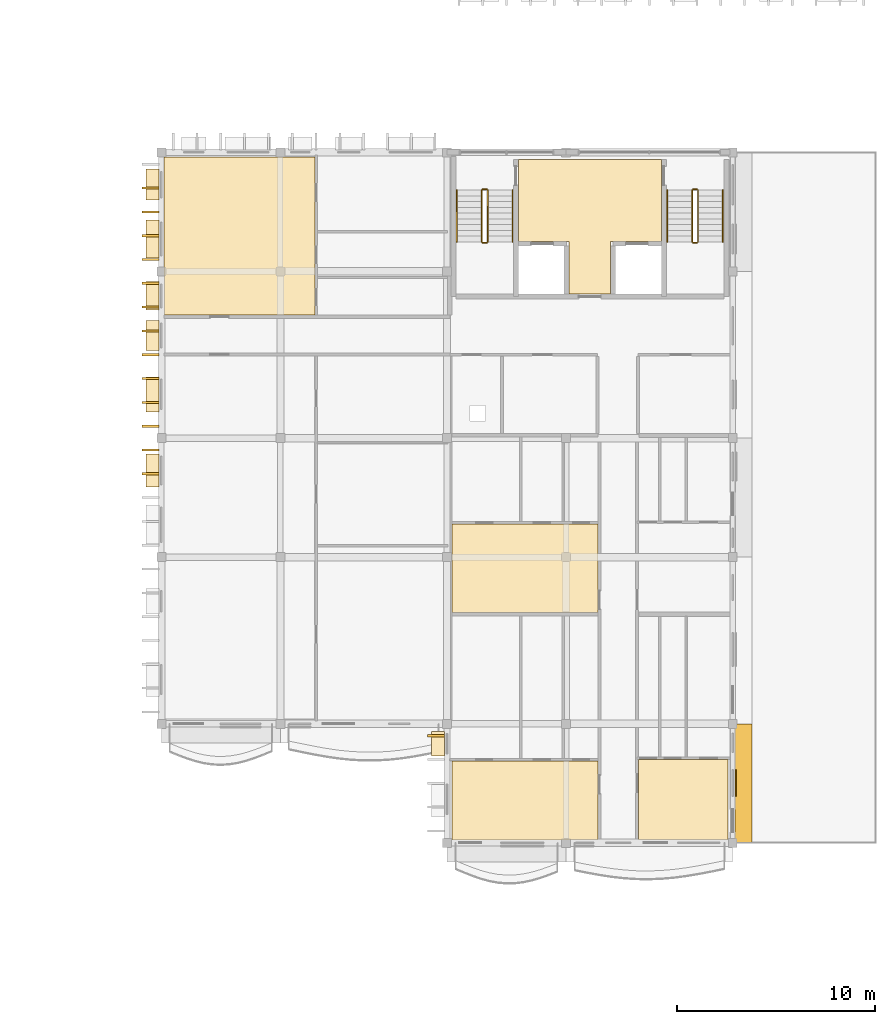
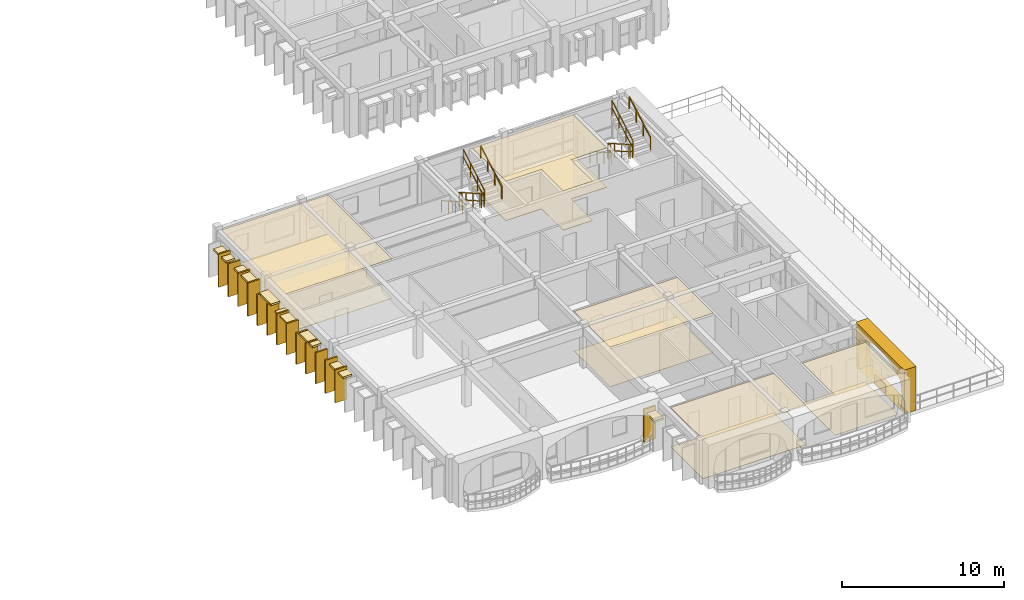
# One storey, part 59 of 66: 33 coverings, 12 railings.
"""IFC4 building model written with IfcOpenShell, lengths in metres."""

import ifcopenshell
import ifcopenshell.guid

model = None  # the IFC model being written
_history = None  # IfcOwnerHistory: only IFC2X3 demands one
_inside = {}  # id of a spatial element -> (the spatial element, [elements in it])
_under = {}  # id of a project, library or spatial element -> (it, [spatial elements below it])
_declared = {}  # id of a project -> (the project, [libraries it declares])
_typed = {}  # id of a type object -> (the type object, [elements of that type])
_made_of = {}  # id of a material, layer set ... -> (it, [elements and type objects made of it])


def new_model(schema):
    """Start an empty IFC model of exactly this schema.

    Asked for "IFC4X3", IfcOpenShell would pick the latest addendum, in which some entities
    have other attributes; the version numbers below select the first issue.
    IFC2X3 requires an IfcOwnerHistory on every rooted entity: one is made here for all.
    """
    global model, _history
    if schema == "IFC4X3":
        model = ifcopenshell.file(schema_version=(4, 3, 0, 0))
    else:
        model = ifcopenshell.file(schema=schema)
    _inside.clear()
    _under.clear()
    _declared.clear()
    _typed.clear()
    _made_of.clear()
    _history = None
    if model.schema == "IFC2X3":
        org = make("IfcOrganization", Name="unknown")
        user = make(
            "IfcPersonAndOrganization",
            ThePerson=make("IfcPerson", FamilyName="unknown"),
            TheOrganization=org,
        )
        app = make(
            "IfcApplication",
            ApplicationDeveloper=org,
            Version="unknown",
            ApplicationFullName="unknown",
            ApplicationIdentifier="unknown",
        )
        _history = make(
            "IfcOwnerHistory",
            OwningUser=user,
            OwningApplication=app,
            ChangeAction="ADDED",
            CreationDate=0,
        )
    return model


def make(cls, **values):
    """One entity of the class cls with the attributes given. An attribute that is None is left unset."""
    return model.create_entity(
        cls, **{name: value for name, value in values.items() if value is not None}
    )


def rooted(cls, **values):
    """An entity with a GlobalId (a new one), such as an element, a storey or a relation."""
    return make(cls, GlobalId=ifcopenshell.guid.new(), OwnerHistory=_history, **values)


def si_unit(unit_type, name, prefix=None):
    """IfcSIUnit, for example si_unit("LENGTHUNIT", "METRE", prefix="MILLI")."""
    return make("IfcSIUnit", UnitType=unit_type, Prefix=prefix, Name=name)


def assignment(units):
    """IfcUnitAssignment: the units of a project."""
    return None if units is None else make("IfcUnitAssignment", Units=units)


def point(xyz):
    """IfcCartesianPoint."""
    return None if xyz is None else make("IfcCartesianPoint", Coordinates=xyz)


def direction(xyz):
    """IfcDirection."""
    return None if xyz is None else make("IfcDirection", DirectionRatios=xyz)


def frame(location, z_axis=None, x_axis=None):
    """IfcAxis2Placement3D, a coordinate frame: its origin and axes. An axis left out is left unset."""
    return make(
        "IfcAxis2Placement3D",
        Location=point(location),
        Axis=direction(z_axis),
        RefDirection=direction(x_axis),
    )


def frame_2d(location, x_axis=None):
    """IfcAxis2Placement2D, a coordinate frame in the plane: its origin and x axis."""
    return make(
        "IfcAxis2Placement2D", Location=point(location), RefDirection=direction(x_axis)
    )


def origin():
    """The frame at (0, 0, 0) with its axes left unset."""
    return frame((0.0, 0.0, 0.0))


def origin_2d():
    """The frame at (0, 0) in the plane with its x axis left unset."""
    return frame_2d((0.0, 0.0))


def place(relative_to, where):
    """IfcLocalPlacement: puts the frame where relative to a parent placement (None: the world)."""
    return make(
        "IfcLocalPlacement", PlacementRelTo=relative_to, RelativePlacement=where
    )


def context(
    kind, dimensions, precision=None, world=None, true_north=None, identifier=None
):
    """IfcGeometricRepresentationContext, for example the 3D "Model" context."""
    return make(
        "IfcGeometricRepresentationContext",
        ContextIdentifier=identifier,
        ContextType=kind,
        CoordinateSpaceDimension=dimensions,
        Precision=precision,
        WorldCoordinateSystem=world,
        TrueNorth=true_north,
    )


def subcontext(parent, identifier, kind, view, scale=None):
    """IfcGeometricRepresentationSubContext, for example "Body" below "Model"."""
    return make(
        "IfcGeometricRepresentationSubContext",
        ContextIdentifier=identifier,
        ContextType=kind,
        ParentContext=parent,
        TargetScale=scale,
        TargetView=view,
    )


def project(units=None, contexts=None):
    """IfcProject with its units and contexts."""
    return rooted(
        "IfcProject",
        Name="project",
        RepresentationContexts=contexts,
        UnitsInContext=assignment(units),
    )


def spatial(cls, under=None, at=None, **own):
    """A site, building, storey or space (cls), placed at a placement, below another one or the project."""
    s = rooted(cls, ObjectPlacement=at, **own)
    if under is not None:
        _under.setdefault(under.id(), (under, []))[1].append(s)
    return s


def polyline(points):
    """IfcPolyline through the points."""
    return make("IfcPolyline", Points=[point(p) for p in points])


def profile(cls, at=None, kind="AREA", **sizes):
    """A parametric profile (cls). Its sizes go by their IFC names, for example OverallWidth=200.0."""
    return make(cls, ProfileType=kind, Position=at, **sizes)


def rectangle(**sizes):
    """IfcRectangleProfileDef."""
    return profile("IfcRectangleProfileDef", **sizes)


def outline(outer, holes=None, kind="AREA"):
    """IfcArbitraryClosedProfileDef: a profile drawn as a closed curve; with holes, ...WithVoids."""
    if holes is None:
        return make("IfcArbitraryClosedProfileDef", ProfileType=kind, OuterCurve=outer)
    return make(
        "IfcArbitraryProfileDefWithVoids",
        ProfileType=kind,
        OuterCurve=outer,
        InnerCurves=holes,
    )


def extrude(swept, where, along, depth):
    """IfcExtrudedAreaSolid: the profile swept, set in the frame where, extruded along a direction by depth."""
    return make(
        "IfcExtrudedAreaSolid",
        SweptArea=swept,
        Position=where,
        ExtrudedDirection=direction(along),
        Depth=depth,
    )


def shape(context_of_items, identifier, shape_type, items):
    """IfcShapeRepresentation: the items that make up one representation, for example the "Body"."""
    return make(
        "IfcShapeRepresentation",
        ContextOfItems=context_of_items,
        RepresentationIdentifier=identifier,
        RepresentationType=shape_type,
        Items=items,
    )


def material(Name=None, Category=None):
    """IfcMaterial."""
    return make("IfcMaterial", Name=Name, Category=Category)


def layer(
    of_material, thickness, ventilated=None, Name=None, Category=None, Priority=None
):
    """IfcMaterialLayer: one layer of a wall or slab, of a material (None: an air gap)."""
    return make(
        "IfcMaterialLayer",
        Material=of_material,
        LayerThickness=thickness,
        IsVentilated=ventilated,
        Name=Name,
        Category=Category,
        Priority=Priority,
    )


def layer_set(layers, Name=None):
    """IfcMaterialLayerSet."""
    return make("IfcMaterialLayerSet", MaterialLayers=layers, LayerSetName=Name)


def made_of(thing, what):
    """Note that an element or type object is made of a material, layer set ...; save() writes the relation."""
    if what is not None:
        _made_of.setdefault(what.id(), (what, []))[1].append(thing)
    return thing


def type_object(cls, material=None, **own):
    """A type object (cls), such as IfcWallType, which elements share."""
    return made_of(rooted(cls, **own), material)


def element(
    cls,
    number,
    at=None,
    inside=None,
    cuts=None,
    type_object=None,
    material=None,
    context=None,
    identifier="Body",
    shape_type=None,
    held_by="IfcProductDefinitionShape",
    body=None,
    shapes=None,
    **own,
):
    """One element of the class cls, such as IfcWall. Its Tag is "e" and its number.

    at: its placement. inside: the storey or other place that contains it. cuts: it is an
    opening in that element (IfcRelVoidsElement). A single representation is given by context,
    identifier, shape_type and body (its items); several are given by shapes. held_by: the class
    of the entity that holds the representations. save() writes the other relations.
    """
    e = rooted(cls, Tag="e%d" % number, ObjectPlacement=at, **own)
    if body is not None:
        shapes = [shape(context, identifier, shape_type, body)]
    if shapes is not None:
        e.Representation = make(held_by, Representations=shapes)
    if inside is not None:
        _inside.setdefault(inside.id(), (inside, []))[1].append(e)
    if cuts is not None:
        rooted(
            "IfcRelVoidsElement", RelatingBuildingElement=cuts, RelatedOpeningElement=e
        )
    if type_object is not None:
        _typed.setdefault(type_object.id(), (type_object, []))[1].append(e)
    return made_of(e, material)


def aggregate(whole, parts):
    """IfcRelAggregates: a whole, such as a stair, and the parts it consists of."""
    return rooted("IfcRelAggregates", RelatingObject=whole, RelatedObjects=parts)


def save(model, path):
    """Write the relations noted so far, then the file.

    IfcRelAggregates (storeys below a building ...), IfcRelContainedInSpatialStructure (elements
    in a storey), IfcRelDefinesByType, IfcRelAssociatesMaterial and IfcRelDeclares: one each for
    every whole, place, type object, material and project.
    """
    for whole, parts in _under.values():
        aggregate(whole, parts)
    for where, things in _inside.values():
        rooted(
            "IfcRelContainedInSpatialStructure",
            RelatedElements=things,
            RelatingStructure=where,
        )
    for kind, things in _typed.values():
        rooted("IfcRelDefinesByType", RelatedObjects=things, RelatingType=kind)
    for what, things in _made_of.values():
        rooted("IfcRelAssociatesMaterial", RelatedObjects=things, RelatingMaterial=what)
    for by, libraries in _declared.values():
        rooted("IfcRelDeclares", RelatingContext=by, RelatedDefinitions=libraries)
    model.write(path)


model = new_model("IFC4")

# Units and contexts
model_context = context("Model", 3, precision=1e-05, world=origin(), true_north=direction((0.0, 1.0)))
body_context = subcontext(model_context, "Body", "Model", "MODEL_VIEW")
ifc_project = project(units=[si_unit("LENGTHUNIT", "METRE"), si_unit("AREAUNIT", "SQUARE_METRE"), si_unit("VOLUMEUNIT", "CUBIC_METRE"), si_unit("PLANEANGLEUNIT", "RADIAN"), si_unit("MASSUNIT", "GRAM", prefix="KILO"), si_unit("THERMODYNAMICTEMPERATUREUNIT", "KELVIN")], contexts=[model_context])

# Site, building, storey
site_placement = place(None, origin())
site = spatial("IfcSite", under=ifc_project, at=site_placement, CompositionType="ELEMENT")
building_placement = place(site_placement, origin())
building = spatial("IfcBuilding", under=site, at=building_placement, Name="Thalorik Housing Commons", CompositionType="ELEMENT")
storey_placement = place(building_placement, frame((0.0, 0.0, 21.300048828125)))
storey = spatial("IfcBuildingStorey", under=building, at=storey_placement, Name="L06", CompositionType="ELEMENT", Elevation=21.300048828125)

# Coverings
ifc_material_1 = material(Name="Precast concrete C40/50", Category="concrete")
ifc_layer_1 = layer(ifc_material_1, 0.85009765625, Name="Precast concrete C40/50", Category="concrete")
ifc_layer_set_1 = layer_set([ifc_layer_1], Name="Precast concrete C40/50")
covering_type_1 = type_object("IfcCoveringType", Name="ARC-CLD-CUSH-850", PredefinedType="CLADDING", material=ifc_layer_set_1)
covering_1_placement = place(storey_placement, frame((167.347412109375, 40.199951171875, 0.0), z_axis=(0.0, 0.0, 1.0), x_axis=(0.0, 1.0, 0.0)))
element("IfcCovering", 1, at=covering_1_placement, inside=storey, type_object=covering_type_1, Name="L06 White Precast Curved Cushion Bay Frame 4976", PredefinedType="CLADDING", context=body_context, shape_type="SweptSolid", body=[
    extrude(outline(polyline([(-3.0, 0.0), (3.0, 0.0), (3.0, 3.300048828125), (-3.0, 3.300048828125), (-3.0, 0.0)]), holes=[polyline([(2.562744140625, 0.02490234375), (2.655029296875, 0.387451171875), (2.71044921875, 0.75), (2.72900390625, 1.112548828125), (2.71044921875, 1.47509765625), (2.655029296875, 1.83740234375), (2.562744140625, 2.199951171875), (2.14013671875, 2.455810546875), (1.71728515625, 2.656494140625), (1.294677734375, 2.819091796875), (0.871826171875, 2.940185546875), (0.44921875, 3.014892578125), (0.0263671875, 3.0400390625), (-0.396240234375, 3.014892578125), (-0.819091796875, 2.940185546875), (-1.24169921875, 2.819091796875), (-1.66455078125, 2.656494140625), (-2.08740234375, 2.455810546875), (-2.510009765625, 2.199951171875), (-2.61328125, 1.83740234375), (-2.675537109375, 1.47509765625), (-2.6962890625, 1.112548828125), (-2.675537109375, 0.75), (-2.61328125, 0.387451171875), (-2.510009765625, 0.02490234375), (2.562744140625, 0.02490234375)])]), frame((0.0, 0.425048828125, 0.0), z_axis=(0.0, -1.0, 0.0), x_axis=(1.0, 0.0, 0.0)), (0.0, 0.0, 1.0), 0.85009765625),
])
ifc_layer_2 = layer(ifc_material_1, 0.85009765625, Name="Precast concrete C40/50", Category="concrete")
ifc_layer_set_2 = layer_set([ifc_layer_2], Name="Precast concrete C40/50")
covering_type_2 = type_object("IfcCoveringType", Name="ARC-CLD-FIN-850", PredefinedType="CLADDING", material=ifc_layer_set_2)
for number, where, z_axis, x_axis, name in (
    (2, (137.452392578125, 70.199951171875, 0.039794921875), (0.0, 0.0, 1.0), (0.0, -1.0, 0.0), "L06 Courtyard Precast Vertical Brise-Soleil Fin 4929"),
    (3, (137.452392578125, 69.0, 0.039794921875), (0.0, 0.0, 1.0), (0.0, -1.0, 0.0), "L06 Courtyard Precast Vertical Brise-Soleil Fin 4930"),
    (4, (137.452392578125, 67.800048828125, 0.039794921875), (0.0, 0.0, 1.0), (0.0, -1.0, 0.0), "L06 Courtyard Precast Vertical Brise-Soleil Fin 4931"),
    (5, (137.452392578125, 66.60009765625, 0.039794921875), (0.0, 0.0, 1.0), (0.0, -1.0, 0.0), "L06 Courtyard Precast Vertical Brise-Soleil Fin 4932"),
):
    element("IfcCovering", number, at=place(storey_placement, frame(where, z_axis=z_axis, x_axis=x_axis)), inside=storey, type_object=covering_type_2, Name=name, PredefinedType="CLADDING", context=body_context, shape_type="SweptSolid", body=[
        extrude(rectangle(XDim=0.110107421875, YDim=0.85009765625, at=origin_2d()), origin(), (0.0, 0.0, 1.0), 2.4951171875),
    ])
for number, where, z_axis, x_axis, name in (
    (6, (137.452392578125, 65.39990234375, 0.0400390625), (0.0, 0.0, 1.0), (0.0, -1.0, 0.0), "L06 Courtyard Precast Vertical Brise-Soleil Fin 4935"),
    (7, (137.452392578125, 64.199951171875, 0.0400390625), (0.0, 0.0, 1.0), (0.0, -1.0, 0.0), "L06 Courtyard Precast Vertical Brise-Soleil Fin 4936"),
    (8, (137.452392578125, 63.0, 0.0400390625), (0.0, 0.0, 1.0), (0.0, -1.0, 0.0), "L06 Courtyard Precast Vertical Brise-Soleil Fin 4937"),
    (9, (137.452392578125, 61.800048828125, 0.0400390625), (0.0, 0.0, 1.0), (0.0, -1.0, 0.0), "L06 Courtyard Precast Vertical Brise-Soleil Fin 4938"),
    (10, (137.452392578125, 60.60009765625, 0.0400390625), (0.0, 0.0, 1.0), (0.0, -1.0, 0.0), "L06 Courtyard Precast Vertical Brise-Soleil Fin 4939"),
    (11, (137.452392578125, 59.39990234375, 0.0400390625), (0.0, 0.0, 1.0), (0.0, -1.0, 0.0), "L06 Courtyard Precast Vertical Brise-Soleil Fin 4940"),
    (12, (137.452392578125, 58.199951171875, 0.0400390625), (0.0, 0.0, 1.0), (0.0, -1.0, 0.0), "L06 Courtyard Precast Vertical Brise-Soleil Fin 4941"),
):
    element("IfcCovering", number, at=place(storey_placement, frame(where, z_axis=z_axis, x_axis=x_axis)), inside=storey, type_object=covering_type_2, Name=name, PredefinedType="CLADDING", context=body_context, shape_type="SweptSolid", body=[
        extrude(rectangle(XDim=0.110107421875, YDim=0.85009765625, at=origin_2d()), origin(), (0.0, 0.0, 1.0), 2.344970703125),
    ])
for number, where, z_axis, x_axis, name in (
    (13, (137.452392578125, 57.0, 0.039794921875), (0.0, 0.0, 1.0), (0.0, -1.0, 0.0), "L06 Courtyard Precast Vertical Brise-Soleil Fin 4945"),
    (14, (137.452392578125, 55.800048828125, 0.039794921875), (0.0, 0.0, 1.0), (0.0, -1.0, 0.0), "L06 Courtyard Precast Vertical Brise-Soleil Fin 4946"),
    (15, (151.8525390625, 42.60009765625, 0.039794921875), (0.0, 0.0, 1.0), (0.0, -1.0, 0.0), "L06 Courtyard Precast Vertical Brise-Soleil Fin 4965"),
):
    element("IfcCovering", number, at=place(storey_placement, frame(where, z_axis=z_axis, x_axis=x_axis)), inside=storey, type_object=covering_type_2, Name=name, PredefinedType="CLADDING", context=body_context, shape_type="SweptSolid", body=[
        extrude(rectangle(XDim=0.110107421875, YDim=0.85009765625, at=origin_2d()), origin(), (0.0, 0.0, 1.0), 2.4951171875),
    ])
ifc_layer_3 = layer(ifc_material_1, 0.64990234375, Name="Precast concrete C40/50", Category="concrete")
ifc_layer_set_3 = layer_set([ifc_layer_3], Name="Precast concrete C40/50")
covering_type_3 = type_object("IfcCoveringType", Name="ARC-CLD-HOOD-650", PredefinedType="CLADDING", material=ifc_layer_set_3)
covering_2_placement = place(storey_placement, frame((137.552490234375, 70.3701171875, 2.14013671875), z_axis=(0.0, 0.0, 1.0), x_axis=(0.0, -1.0, 0.0)))
element("IfcCovering", 16, at=covering_2_placement, inside=storey, type_object=covering_type_3, Name="L06 Courtyard Precast Window Sun-Hood 4933", PredefinedType="CLADDING", context=body_context, shape_type="SweptSolid", body=[
    extrude(rectangle(XDim=1.56005859375, YDim=0.64990234375, at=origin_2d()), origin(), (0.0, 0.0, 1.0), 0.139892578125),
])
covering_3_placement = place(storey_placement, frame((137.552490234375, 67.6298828125, 2.25), z_axis=(0.0, 0.0, 1.0), x_axis=(0.0, -1.0, 0.0)))
element("IfcCovering", 17, at=covering_3_placement, inside=storey, type_object=covering_type_3, Name="L06 Courtyard Precast Window Sun-Hood 4934", PredefinedType="CLADDING", context=body_context, shape_type="SweptSolid", body=[
    extrude(rectangle(XDim=1.919921875, YDim=0.64990234375, at=origin_2d()), origin(), (0.0, 0.0, 1.0), 0.139892578125),
])
covering_4_placement = place(storey_placement, frame((137.552490234375, 64.764892578125, 2.27490234375), z_axis=(0.0, 0.0, 1.0), x_axis=(0.0, -1.0, 0.0)))
element("IfcCovering", 18, at=covering_4_placement, inside=storey, type_object=covering_type_3, Name="L06 Courtyard Precast Window Sun-Hood 4942", PredefinedType="CLADDING", context=body_context, shape_type="SweptSolid", body=[
    extrude(rectangle(XDim=1.43994140625, YDim=0.64990234375, at=origin_2d()), origin(), (0.0, 0.0, 1.0), 0.139892578125),
])
covering_5_placement = place(storey_placement, frame((137.552490234375, 62.77001953125, 2.08984375), z_axis=(0.0, 0.0, 1.0), x_axis=(0.0, -1.0, 0.0)))
element("IfcCovering", 19, at=covering_5_placement, inside=storey, type_object=covering_type_3, Name="L06 Courtyard Precast Window Sun-Hood 4943", PredefinedType="CLADDING", context=body_context, shape_type="SweptSolid", body=[
    extrude(rectangle(XDim=1.489990234375, YDim=0.64990234375, at=origin_2d()), origin(), (0.0, 0.0, 1.0), 0.139892578125),
])
covering_6_placement = place(storey_placement, frame((137.552490234375, 59.804931640625, 2.2099609375), z_axis=(0.0, 0.0, 1.0), x_axis=(0.0, -1.0, 0.0)))
element("IfcCovering", 20, at=covering_6_placement, inside=storey, type_object=covering_type_3, Name="L06 Courtyard Precast Window Sun-Hood 4944", PredefinedType="CLADDING", context=body_context, shape_type="SweptSolid", body=[
    extrude(rectangle(XDim=1.760009765625, YDim=0.64990234375, at=origin_2d()), origin(), (0.0, 0.0, 1.0), 0.139892578125),
])
covering_7_placement = place(storey_placement, frame((137.552490234375, 55.969970703125, 2.169921875), z_axis=(0.0, 0.0, 1.0), x_axis=(0.0, -1.0, 0.0)))
element("IfcCovering", 21, at=covering_7_placement, inside=storey, type_object=covering_type_3, Name="L06 Courtyard Precast Window Sun-Hood 4950", PredefinedType="CLADDING", context=body_context, shape_type="SweptSolid", body=[
    extrude(rectangle(XDim=1.659912109375, YDim=0.64990234375, at=origin_2d()), origin(), (0.0, 0.0, 1.0), 0.139892578125),
])
covering_8_placement = place(storey_placement, frame((151.952392578125, 42.202392578125, 2.0400390625), z_axis=(0.0, 0.0, 1.0), x_axis=(0.0, -1.0, 0.0)))
element("IfcCovering", 22, at=covering_8_placement, inside=storey, type_object=covering_type_3, Name="L06 Courtyard Precast Window Sun-Hood 4970", PredefinedType="CLADDING", context=body_context, shape_type="SweptSolid", body=[
    extrude(rectangle(XDim=1.239990234375, YDim=0.64990234375, at=origin_2d()), origin(), (0.0, 0.0, 1.0), 0.139892578125),
])
ifc_material_2 = material(Name="Terracotta red mineral fibre-cement panel", Category="masonry")
ifc_layer_4 = layer(ifc_material_2, 0.054931640625, Name="Terracotta red mineral fibre-cement panel", Category="masonry")
ifc_layer_set_4 = layer_set([ifc_layer_4], Name="Terracotta red mineral fibre-cement panel")
covering_type_4 = type_object("IfcCoveringType", Name="ARC-CLD-RED-55", PredefinedType="CLADDING", material=ifc_layer_set_4)
covering_9_placement = place(storey_placement, frame((166.955078125, 40.212890625, 0.0498046875), z_axis=(0.0, 0.0, 1.0), x_axis=(0.0, 1.0, 0.0)))
element("IfcCovering", 23, at=covering_9_placement, inside=storey, type_object=covering_type_4, Name="L06 De Stijl Recessed Window Spandrel 4977", PredefinedType="CLADDING", context=body_context, shape_type="SweptSolid", body=[
    extrude(rectangle(XDim=1.320068359375, YDim=0.054931640625, at=origin_2d()), origin(), (0.0, 0.0, 1.0), 0.699951171875),
])
ifc_material_3 = material(Name="Perforated acoustic gypsum ceiling board")
ifc_layer_5 = layer(ifc_material_3, 0.014892578125, Name="Perforated acoustic gypsum ceiling board")
ifc_layer_set_5 = layer_set([ifc_layer_5], Name="Perforated acoustic gypsum ceiling board")
covering_type_5 = type_object("IfcCoveringType", Name="ARC-COV-CEIL-01", PredefinedType="CEILING", material=ifc_layer_set_5)
covering_10_placement = place(storey_placement, frame((0.0, 0.0, 2.98486328125)))
element("IfcCovering", 24, at=covering_10_placement, inside=storey, type_object=covering_type_5, Name="L06 Sunlit Wintergarden Lounge Suspended Ceiling", PredefinedType="CEILING", context=body_context, shape_type="SweptSolid", body=[
    extrude(outline(polyline([(166.56005859375, 41.3955078125), (162.06005859375, 41.3955078125), (162.06005859375, 37.340087890625), (166.56005859375, 37.340087890625), (166.56005859375, 41.3955078125)])), origin(), (0.0, 0.0, 1.0), 0.01513671875),
])
ifc_material_4 = material(Name="Mineral fibre acoustic ceiling tile")
ifc_layer_6 = layer(ifc_material_4, 0.01806640625, Name="Mineral fibre acoustic ceiling tile")
ifc_layer_set_6 = layer_set([ifc_layer_6], Name="Mineral fibre acoustic ceiling tile")
covering_type_6 = type_object("IfcCoveringType", Name="ARC-COV-CEIL-02", PredefinedType="CEILING", material=ifc_layer_set_6)
covering_11_placement = place(storey_placement, frame((0.0, 0.0, 2.98193359375)))
element("IfcCovering", 25, at=covering_11_placement, inside=storey, type_object=covering_type_6, Name="L06 Living Dining Room Suspended Ceiling", PredefinedType="CEILING", context=body_context, shape_type="SweptSolid", body=[
    extrude(outline(polyline([(160.0, 53.264892578125), (152.639892578125, 53.264892578125), (152.639892578125, 48.81005859375), (160.0, 48.81005859375), (160.0, 53.264892578125)])), origin(), (0.0, 0.0, 1.0), 0.01806640625),
])
ifc_material_5 = material(Name="Moisture-resistant gypsum bathroom ceiling")
ifc_layer_7 = layer(ifc_material_5, 0.02490234375, Name="Moisture-resistant gypsum bathroom ceiling")
ifc_layer_set_7 = layer_set([ifc_layer_7], Name="Moisture-resistant gypsum bathroom ceiling")
covering_type_7 = type_object("IfcCoveringType", Name="ARC-COV-CEIL-04", PredefinedType="CEILING", material=ifc_layer_set_7)
covering_12_placement = place(storey_placement, frame((0.0, 0.0, 2.974853515625)))
element("IfcCovering", 26, at=covering_12_placement, inside=storey, type_object=covering_type_7, Name="L06 Sunlit Wintergarden Lounge Suspended Ceiling", PredefinedType="CEILING", context=body_context, shape_type="SweptSolid", body=[
    extrude(outline(polyline([(145.740478515625, 63.800048828125), (145.740478515625, 71.760009765625), (138.139892578125, 71.760009765625), (138.139892578125, 63.800048828125), (145.740478515625, 63.800048828125)])), origin(), (0.0, 0.0, 1.0), 0.025146484375),
])
ifc_material_6 = material(Name="Acoustic wood-wool nursery ceiling panel", Category="wood")
ifc_layer_8 = layer(ifc_material_6, 0.035888671875, Name="Acoustic wood-wool nursery ceiling panel", Category="wood")
ifc_layer_set_8 = layer_set([ifc_layer_8], Name="Acoustic wood-wool nursery ceiling panel")
covering_type_8 = type_object("IfcCoveringType", Name="ARC-COV-CEIL-06", PredefinedType="CEILING", material=ifc_layer_set_8)
covering_13_placement = place(storey_placement, frame((0.0, 0.0, 2.9638671875)))
element("IfcCovering", 27, at=covering_13_placement, inside=storey, type_object=covering_type_8, Name="L06 Block D Lift Lobby Suspended Ceiling", PredefinedType="CEILING", context=body_context, shape_type="SweptSolid", body=[
    extrude(outline(polyline([(158.550048828125, 64.85009765625), (160.64990234375, 64.85009765625), (160.650146484375, 67.52001953125), (163.199951171875, 67.52001953125), (163.199951171875, 71.64990234375), (156.0, 71.64990234375), (156.0, 67.52001953125), (158.550048828125, 67.52001953125), (158.550048828125, 64.85009765625)])), origin(), (0.0, 0.0, 1.0), 0.0361328125),
])
covering_14_placement = place(storey_placement, frame((0.0, 0.0, 2.9638671875)))
element("IfcCovering", 28, at=covering_14_placement, inside=storey, type_object=covering_type_8, Name="L06 Family Lounge Suspended Ceiling", PredefinedType="CEILING", context=body_context, shape_type="SweptSolid", body=[
    extrude(outline(polyline([(160.0, 41.324951171875), (152.639892578125, 41.324951171875), (152.639892578125, 37.340087890625), (160.0, 37.340087890625), (160.0, 41.324951171875)])), origin(), (0.0, 0.0, 1.0), 0.0361328125),
])
ifc_material_7 = material(Name="Glazed Recife ceramic apartment floor tile")
ifc_layer_9 = layer(ifc_material_7, 0.011962890625, Name="Glazed Recife ceramic apartment floor tile")
ifc_layer_set_9 = layer_set([ifc_layer_9], Name="Glazed Recife ceramic apartment floor tile")
covering_type_9 = type_object("IfcCoveringType", Name="ARC-COV-FLR-01", PredefinedType="FLOORING", material=ifc_layer_set_9)
covering_15_placement = place(storey_placement, origin())
element("IfcCovering", 29, at=covering_15_placement, inside=storey, type_object=covering_type_9, Name="L06 Sunlit Wintergarden Lounge Flooring", PredefinedType="FLOORING", context=body_context, shape_type="SweptSolid", body=[
    extrude(outline(polyline([(166.56005859375, 41.3955078125), (162.06005859375, 41.3955078125), (162.06005859375, 37.340087890625), (166.56005859375, 37.340087890625), (166.56005859375, 41.3955078125)])), origin(), (0.0, 0.0, 1.0), 0.011962890625),
])
ifc_material_8 = material(Name="Slip-resistant quarry terracotta corridor tile", Category="masonry")
ifc_layer_10 = layer(ifc_material_8, 0.01611328125, Name="Slip-resistant quarry terracotta corridor tile", Category="masonry")
ifc_layer_set_10 = layer_set([ifc_layer_10], Name="Slip-resistant quarry terracotta corridor tile")
covering_type_10 = type_object("IfcCoveringType", Name="ARC-COV-FLR-02", PredefinedType="FLOORING", material=ifc_layer_set_10)
covering_16_placement = place(storey_placement, origin())
element("IfcCovering", 30, at=covering_16_placement, inside=storey, type_object=covering_type_10, Name="L06 Living Dining Room Flooring", PredefinedType="FLOORING", context=body_context, shape_type="SweptSolid", body=[
    extrude(outline(polyline([(160.0, 53.264892578125), (152.639892578125, 53.264892578125), (152.639892578125, 48.81005859375), (160.0, 48.81005859375), (160.0, 53.264892578125)])), origin(), (0.0, 0.0, 1.0), 0.015869140625),
])
ifc_material_9 = material(Name="Sprung Brazilian oak assembly hall timber floor", Category="wood")
ifc_layer_11 = layer(ifc_material_9, 0.02392578125, Name="Sprung Brazilian oak assembly hall timber floor", Category="wood")
ifc_layer_set_11 = layer_set([ifc_layer_11], Name="Sprung Brazilian oak assembly hall timber floor")
covering_type_11 = type_object("IfcCoveringType", Name="ARC-COV-FLR-04", PredefinedType="FLOORING", material=ifc_layer_set_11)
covering_17_placement = place(storey_placement, origin())
element("IfcCovering", 31, at=covering_17_placement, inside=storey, type_object=covering_type_11, Name="L06 Sunlit Wintergarden Lounge Flooring", PredefinedType="FLOORING", context=body_context, shape_type="SweptSolid", body=[
    extrude(outline(polyline([(145.740478515625, 63.800048828125), (145.740478515625, 71.760009765625), (138.139892578125, 71.760009765625), (138.139892578125, 63.800048828125), (145.740478515625, 63.800048828125)])), origin(), (0.0, 0.0, 1.0), 0.02392578125),
])
ifc_material_10 = material(Name="Epoxy-sealed concrete plant and bicycle hub finish", Category="concrete")
ifc_layer_12 = layer(ifc_material_10, 0.031982421875, Name="Epoxy-sealed concrete plant and bicycle hub finish", Category="concrete")
ifc_layer_set_12 = layer_set([ifc_layer_12], Name="Epoxy-sealed concrete plant and bicycle hub finish")
covering_type_12 = type_object("IfcCoveringType", Name="ARC-COV-FLR-06", PredefinedType="FLOORING", material=ifc_layer_set_12)
covering_18_placement = place(storey_placement, origin())
element("IfcCovering", 32, at=covering_18_placement, inside=storey, type_object=covering_type_12, Name="L06 Block D Lift Lobby Flooring", PredefinedType="FLOORING", context=body_context, shape_type="SweptSolid", body=[
    extrude(outline(polyline([(158.550048828125, 64.85009765625), (160.64990234375, 64.85009765625), (160.650146484375, 67.52001953125), (163.199951171875, 67.52001953125), (163.199951171875, 71.64990234375), (156.0, 71.64990234375), (156.0, 67.52001953125), (158.550048828125, 67.52001953125), (158.550048828125, 64.85009765625)])), origin(), (0.0, 0.0, 1.0), 0.031982421875),
])
covering_19_placement = place(storey_placement, origin())
element("IfcCovering", 33, at=covering_19_placement, inside=storey, type_object=covering_type_12, Name="L06 Family Lounge Flooring", PredefinedType="FLOORING", context=body_context, shape_type="SweptSolid", body=[
    extrude(outline(polyline([(160.0, 41.324951171875), (152.639892578125, 41.324951171875), (152.639892578125, 37.340087890625), (160.0, 37.340087890625), (160.0, 41.324951171875)])), origin(), (0.0, 0.0, 1.0), 0.031982421875),
])

# Railings
ifc_material_11 = material(Name="Steel S355", Category="steel")
railing_type_1 = type_object("IfcRailingType", Name="ARC-RL-STR-GRD110", PredefinedType="GUARDRAIL", material=ifc_material_11)
railing_1_placement = place(storey_placement, frame((154.14990234375, 70.10009765625, 0.1650390625)))
element("IfcRailing", 34, at=railing_1_placement, inside=storey, type_object=railing_type_1, Name="L06 ST-D1 stair guard 1", PredefinedType="GUARDRAIL", context=body_context, shape_type="SweptSolid", body=[
    extrude(rectangle(XDim=0.048095703125, YDim=0.048095703125, at=origin_2d()), frame((0.0, 0.0, 1.076171875), z_axis=(0.0, -0.869192148207, 0.494474478103), x_axis=(1.0, 0.0, 0.0)), (0.0, 0.0, 1.0), 3.0029296875),
    extrude(rectangle(XDim=0.048095703125, YDim=0.048095703125, at=origin_2d()), frame((0.0, 0.0, 0.52587890625), z_axis=(0.0, -0.869192148207, 0.494474478103), x_axis=(1.0, 0.0, 0.0)), (0.0, 0.0, 1.0), 3.0029296875),
    extrude(rectangle(XDim=0.0419921875, YDim=0.0419921875, at=origin_2d()), origin(), (0.0, 0.0, 1.0), 1.052001953125),
    extrude(rectangle(XDim=0.0419921875, YDim=0.0419921875, at=origin_2d()), frame((0.0, -0.8701171875, 0.494873046875)), (0.0, 0.0, 1.0), 1.052001953125),
    extrude(rectangle(XDim=0.0419921875, YDim=0.0419921875, at=origin_2d()), frame((0.0, -1.739990234375, 0.989990234375)), (0.0, 0.0, 1.0), 1.052001953125),
    extrude(rectangle(XDim=0.0419921875, YDim=0.0419921875, at=origin_2d()), frame((0.0, -2.610107421875, 1.48486328125)), (0.0, 0.0, 1.0), 1.052001953125),
])
railing_2_placement = place(storey_placement, frame((154.199951171875, 67.43994140625, 1.64990234375)))
element("IfcRailing", 35, at=railing_2_placement, inside=storey, type_object=railing_type_1, Name="L06 ST-D1 stair guard 2", PredefinedType="GUARDRAIL", context=body_context, shape_type="SweptSolid", body=[
    extrude(rectangle(XDim=0.048095703125, YDim=0.048095703125, at=origin_2d()), frame((0.0, 0.0, 1.076171875), z_axis=(1.0, 0.0, 0.0), x_axis=(0.0, 1.0, 0.0)), (0.0, 0.0, 1.0), 0.199951171875),
    extrude(rectangle(XDim=0.048095703125, YDim=0.048095703125, at=origin_2d()), frame((0.0, 0.0, 0.52587890625), z_axis=(1.0, 0.0, 0.0), x_axis=(0.0, 1.0, 0.0)), (0.0, 0.0, 1.0), 0.199951171875),
    extrude(rectangle(XDim=0.0419921875, YDim=0.0419921875, at=origin_2d()), origin(), (0.0, 0.0, 1.0), 1.052001953125),
    extrude(rectangle(XDim=0.0419921875, YDim=0.0419921875, at=origin_2d()), frame((0.199951171875, 0.0, 0.0)), (0.0, 0.0, 1.0), 1.052001953125),
])
railing_3_placement = place(storey_placement, frame((154.449951171875, 67.489990234375, 1.81494140625)))
element("IfcRailing", 36, at=railing_3_placement, inside=storey, type_object=railing_type_1, Name="L06 ST-D1 stair guard 3", PredefinedType="GUARDRAIL", context=body_context, shape_type="SweptSolid", body=[
    extrude(rectangle(XDim=0.048095703125, YDim=0.048095703125, at=origin_2d()), frame((0.0, 0.0, 1.076171875), z_axis=(0.0, 0.869157204687, 0.49453589712), x_axis=(-1.0, 0.0, 0.0)), (0.0, 0.0, 1.0), 3.0029296875),
    extrude(rectangle(XDim=0.048095703125, YDim=0.048095703125, at=origin_2d()), frame((0.0, 0.0, 0.52587890625), z_axis=(0.0, 0.869157204687, 0.49453589712), x_axis=(-1.0, 0.0, 0.0)), (0.0, 0.0, 1.0), 3.0029296875),
    extrude(rectangle(XDim=0.0419921875, YDim=0.0419921875, at=origin_2d()), origin(), (0.0, 0.0, 1.0), 1.052001953125),
    extrude(rectangle(XDim=0.0419921875, YDim=0.0419921875, at=origin_2d()), frame((0.0, 0.8701171875, 0.4951171875)), (0.0, 0.0, 1.0), 1.052001953125),
    extrude(rectangle(XDim=0.0419921875, YDim=0.0419921875, at=origin_2d()), frame((0.0, 1.739990234375, 0.989990234375)), (0.0, 0.0, 1.0), 1.052001953125),
    extrude(rectangle(XDim=0.0419921875, YDim=0.0419921875, at=origin_2d()), frame((0.0, 2.610107421875, 1.485107421875)), (0.0, 0.0, 1.0), 1.052001953125),
])
railing_4_placement = place(storey_placement, frame((154.199951171875, 70.14990234375, 0.0)))
element("IfcRailing", 37, at=railing_4_placement, inside=storey, type_object=railing_type_1, Name="L06 ST-D1 stair guard 4", PredefinedType="GUARDRAIL", context=body_context, shape_type="SweptSolid", body=[
    extrude(rectangle(XDim=0.048095703125, YDim=0.048095703125, at=origin_2d()), frame((0.0, 0.0, 1.076171875), z_axis=(1.0, 0.0, 0.0), x_axis=(0.0, 1.0, 0.0)), (0.0, 0.0, 1.0), 0.199951171875),
    extrude(rectangle(XDim=0.048095703125, YDim=0.048095703125, at=origin_2d()), frame((0.0, 0.0, 0.52587890625), z_axis=(1.0, 0.0, 0.0), x_axis=(0.0, 1.0, 0.0)), (0.0, 0.0, 1.0), 0.199951171875),
    extrude(rectangle(XDim=0.0419921875, YDim=0.0419921875, at=origin_2d()), origin(), (0.0, 0.0, 1.0), 1.052001953125),
    extrude(rectangle(XDim=0.0419921875, YDim=0.0419921875, at=origin_2d()), frame((0.199951171875, 0.0, 0.0)), (0.0, 0.0, 1.0), 1.052001953125),
])
railing_5_placement = place(storey_placement, frame((164.75, 70.10009765625, 0.1650390625)))
element("IfcRailing", 38, at=railing_5_placement, inside=storey, type_object=railing_type_1, Name="L06 ST-D2 stair guard 1", PredefinedType="GUARDRAIL", context=body_context, shape_type="SweptSolid", body=[
    extrude(rectangle(XDim=0.048095703125, YDim=0.048095703125, at=origin_2d()), frame((0.0, 0.0, 1.076171875), z_axis=(0.0, -0.869192148207, 0.494474478103), x_axis=(1.0, 0.0, 0.0)), (0.0, 0.0, 1.0), 3.0029296875),
    extrude(rectangle(XDim=0.048095703125, YDim=0.048095703125, at=origin_2d()), frame((0.0, 0.0, 0.52587890625), z_axis=(0.0, -0.869192148207, 0.494474478103), x_axis=(1.0, 0.0, 0.0)), (0.0, 0.0, 1.0), 3.0029296875),
    extrude(rectangle(XDim=0.0419921875, YDim=0.0419921875, at=origin_2d()), origin(), (0.0, 0.0, 1.0), 1.052001953125),
    extrude(rectangle(XDim=0.0419921875, YDim=0.0419921875, at=origin_2d()), frame((0.0, -0.8701171875, 0.494873046875)), (0.0, 0.0, 1.0), 1.052001953125),
    extrude(rectangle(XDim=0.0419921875, YDim=0.0419921875, at=origin_2d()), frame((0.0, -1.739990234375, 0.989990234375)), (0.0, 0.0, 1.0), 1.052001953125),
    extrude(rectangle(XDim=0.0419921875, YDim=0.0419921875, at=origin_2d()), frame((0.0, -2.610107421875, 1.48486328125)), (0.0, 0.0, 1.0), 1.052001953125),
])
railing_6_placement = place(storey_placement, frame((164.800048828125, 67.43994140625, 1.64990234375)))
element("IfcRailing", 39, at=railing_6_placement, inside=storey, type_object=railing_type_1, Name="L06 ST-D2 stair guard 2", PredefinedType="GUARDRAIL", context=body_context, shape_type="SweptSolid", body=[
    extrude(rectangle(XDim=0.048095703125, YDim=0.048095703125, at=origin_2d()), frame((0.0, 0.0, 1.076171875), z_axis=(1.0, 0.0, 0.0), x_axis=(0.0, 1.0, 0.0)), (0.0, 0.0, 1.0), 0.199951171875),
    extrude(rectangle(XDim=0.048095703125, YDim=0.048095703125, at=origin_2d()), frame((0.0, 0.0, 0.52587890625), z_axis=(1.0, 0.0, 0.0), x_axis=(0.0, 1.0, 0.0)), (0.0, 0.0, 1.0), 0.199951171875),
    extrude(rectangle(XDim=0.0419921875, YDim=0.0419921875, at=origin_2d()), origin(), (0.0, 0.0, 1.0), 1.052001953125),
    extrude(rectangle(XDim=0.0419921875, YDim=0.0419921875, at=origin_2d()), frame((0.199951171875, 0.0, 0.0)), (0.0, 0.0, 1.0), 1.052001953125),
])
railing_7_placement = place(storey_placement, frame((165.050048828125, 67.489990234375, 1.81494140625)))
element("IfcRailing", 40, at=railing_7_placement, inside=storey, type_object=railing_type_1, Name="L06 ST-D2 stair guard 3", PredefinedType="GUARDRAIL", context=body_context, shape_type="SweptSolid", body=[
    extrude(rectangle(XDim=0.048095703125, YDim=0.048095703125, at=origin_2d()), frame((0.0, 0.0, 1.076171875), z_axis=(0.0, 0.869157204687, 0.49453589712), x_axis=(-1.0, 0.0, 0.0)), (0.0, 0.0, 1.0), 3.0029296875),
    extrude(rectangle(XDim=0.048095703125, YDim=0.048095703125, at=origin_2d()), frame((0.0, 0.0, 0.52587890625), z_axis=(0.0, 0.869157204687, 0.49453589712), x_axis=(-1.0, 0.0, 0.0)), (0.0, 0.0, 1.0), 3.0029296875),
    extrude(rectangle(XDim=0.0419921875, YDim=0.0419921875, at=origin_2d()), origin(), (0.0, 0.0, 1.0), 1.052001953125),
    extrude(rectangle(XDim=0.0419921875, YDim=0.0419921875, at=origin_2d()), frame((0.0, 0.8701171875, 0.4951171875)), (0.0, 0.0, 1.0), 1.052001953125),
    extrude(rectangle(XDim=0.0419921875, YDim=0.0419921875, at=origin_2d()), frame((0.0, 1.739990234375, 0.989990234375)), (0.0, 0.0, 1.0), 1.052001953125),
    extrude(rectangle(XDim=0.0419921875, YDim=0.0419921875, at=origin_2d()), frame((0.0, 2.610107421875, 1.485107421875)), (0.0, 0.0, 1.0), 1.052001953125),
])
railing_8_placement = place(storey_placement, frame((164.800048828125, 70.14990234375, 0.0)))
element("IfcRailing", 41, at=railing_8_placement, inside=storey, type_object=railing_type_1, Name="L06 ST-D2 stair guard 4", PredefinedType="GUARDRAIL", context=body_context, shape_type="SweptSolid", body=[
    extrude(rectangle(XDim=0.048095703125, YDim=0.048095703125, at=origin_2d()), frame((0.0, 0.0, 1.076171875), z_axis=(1.0, 0.0, 0.0), x_axis=(0.0, 1.0, 0.0)), (0.0, 0.0, 1.0), 0.199951171875),
    extrude(rectangle(XDim=0.048095703125, YDim=0.048095703125, at=origin_2d()), frame((0.0, 0.0, 0.52587890625), z_axis=(1.0, 0.0, 0.0), x_axis=(0.0, 1.0, 0.0)), (0.0, 0.0, 1.0), 0.199951171875),
    extrude(rectangle(XDim=0.0419921875, YDim=0.0419921875, at=origin_2d()), origin(), (0.0, 0.0, 1.0), 1.052001953125),
    extrude(rectangle(XDim=0.0419921875, YDim=0.0419921875, at=origin_2d()), frame((0.199951171875, 0.0, 0.0)), (0.0, 0.0, 1.0), 1.052001953125),
])
railing_type_2 = type_object("IfcRailingType", Name="ARC-RL-STR-HR092", PredefinedType="HANDRAIL", material=ifc_material_11)
railing_9_placement = place(storey_placement, frame((152.89990234375, 70.10009765625, 0.1650390625)))
element("IfcRailing", 42, at=railing_9_placement, inside=storey, type_object=railing_type_2, Name="L06 ST-D1 stair handrail 1", PredefinedType="HANDRAIL", context=body_context, shape_type="SweptSolid", body=[
    extrude(rectangle(XDim=0.048095703125, YDim=0.048095703125, at=origin_2d()), frame((0.0, 0.0, 0.89599609375), z_axis=(0.0, -0.869192148207, 0.494474478103), x_axis=(1.0, 0.0, 0.0)), (0.0, 0.0, 1.0), 3.0029296875),
    extrude(rectangle(XDim=0.0419921875, YDim=0.0419921875, at=origin_2d()), origin(), (0.0, 0.0, 1.0), 0.871826171875),
    extrude(rectangle(XDim=0.0419921875, YDim=0.0419921875, at=origin_2d()), frame((0.0, -0.8701171875, 0.494873046875)), (0.0, 0.0, 1.0), 0.871826171875),
    extrude(rectangle(XDim=0.0419921875, YDim=0.0419921875, at=origin_2d()), frame((0.0, -1.739990234375, 0.989990234375)), (0.0, 0.0, 1.0), 0.871826171875),
    extrude(rectangle(XDim=0.0419921875, YDim=0.0419921875, at=origin_2d()), frame((0.0, -2.610107421875, 1.48486328125)), (0.0, 0.0, 1.0), 0.871826171875),
])
railing_10_placement = place(storey_placement, frame((155.699951171875, 67.489990234375, 1.81494140625)))
element("IfcRailing", 43, at=railing_10_placement, inside=storey, type_object=railing_type_2, Name="L06 ST-D1 stair handrail 2", PredefinedType="HANDRAIL", context=body_context, shape_type="SweptSolid", body=[
    extrude(rectangle(XDim=0.048095703125, YDim=0.048095703125, at=origin_2d()), frame((0.0, 0.0, 0.89599609375), z_axis=(0.0, 0.869157204687, 0.49453589712), x_axis=(-1.0, 0.0, 0.0)), (0.0, 0.0, 1.0), 3.0029296875),
    extrude(rectangle(XDim=0.0419921875, YDim=0.0419921875, at=origin_2d()), origin(), (0.0, 0.0, 1.0), 0.871826171875),
    extrude(rectangle(XDim=0.0419921875, YDim=0.0419921875, at=origin_2d()), frame((0.0, 0.8701171875, 0.4951171875)), (0.0, 0.0, 1.0), 0.871826171875),
    extrude(rectangle(XDim=0.0419921875, YDim=0.0419921875, at=origin_2d()), frame((0.0, 1.739990234375, 0.989990234375)), (0.0, 0.0, 1.0), 0.871826171875),
    extrude(rectangle(XDim=0.0419921875, YDim=0.0419921875, at=origin_2d()), frame((0.0, 2.610107421875, 1.485107421875)), (0.0, 0.0, 1.0), 0.871826171875),
])
railing_11_placement = place(storey_placement, frame((163.5, 70.10009765625, 0.1650390625)))
element("IfcRailing", 44, at=railing_11_placement, inside=storey, type_object=railing_type_2, Name="L06 ST-D2 stair handrail 1", PredefinedType="HANDRAIL", context=body_context, shape_type="SweptSolid", body=[
    extrude(rectangle(XDim=0.048095703125, YDim=0.048095703125, at=origin_2d()), frame((0.0, 0.0, 0.89599609375), z_axis=(0.0, -0.869192148207, 0.494474478103), x_axis=(1.0, 0.0, 0.0)), (0.0, 0.0, 1.0), 3.0029296875),
    extrude(rectangle(XDim=0.0419921875, YDim=0.0419921875, at=origin_2d()), origin(), (0.0, 0.0, 1.0), 0.871826171875),
    extrude(rectangle(XDim=0.0419921875, YDim=0.0419921875, at=origin_2d()), frame((0.0, -0.8701171875, 0.494873046875)), (0.0, 0.0, 1.0), 0.871826171875),
    extrude(rectangle(XDim=0.0419921875, YDim=0.0419921875, at=origin_2d()), frame((0.0, -1.739990234375, 0.989990234375)), (0.0, 0.0, 1.0), 0.871826171875),
    extrude(rectangle(XDim=0.0419921875, YDim=0.0419921875, at=origin_2d()), frame((0.0, -2.610107421875, 1.48486328125)), (0.0, 0.0, 1.0), 0.871826171875),
])
railing_12_placement = place(storey_placement, frame((166.300048828125, 67.489990234375, 1.81494140625)))
element("IfcRailing", 45, at=railing_12_placement, inside=storey, type_object=railing_type_2, Name="L06 ST-D2 stair handrail 2", PredefinedType="HANDRAIL", context=body_context, shape_type="SweptSolid", body=[
    extrude(rectangle(XDim=0.048095703125, YDim=0.048095703125, at=origin_2d()), frame((0.0, 0.0, 0.89599609375), z_axis=(0.0, 0.869157204687, 0.49453589712), x_axis=(-1.0, 0.0, 0.0)), (0.0, 0.0, 1.0), 3.0029296875),
    extrude(rectangle(XDim=0.0419921875, YDim=0.0419921875, at=origin_2d()), origin(), (0.0, 0.0, 1.0), 0.871826171875),
    extrude(rectangle(XDim=0.0419921875, YDim=0.0419921875, at=origin_2d()), frame((0.0, 0.8701171875, 0.4951171875)), (0.0, 0.0, 1.0), 0.871826171875),
    extrude(rectangle(XDim=0.0419921875, YDim=0.0419921875, at=origin_2d()), frame((0.0, 1.739990234375, 0.989990234375)), (0.0, 0.0, 1.0), 0.871826171875),
    extrude(rectangle(XDim=0.0419921875, YDim=0.0419921875, at=origin_2d()), frame((0.0, 2.610107421875, 1.485107421875)), (0.0, 0.0, 1.0), 0.871826171875),
])

save(model, "model.ifc")
